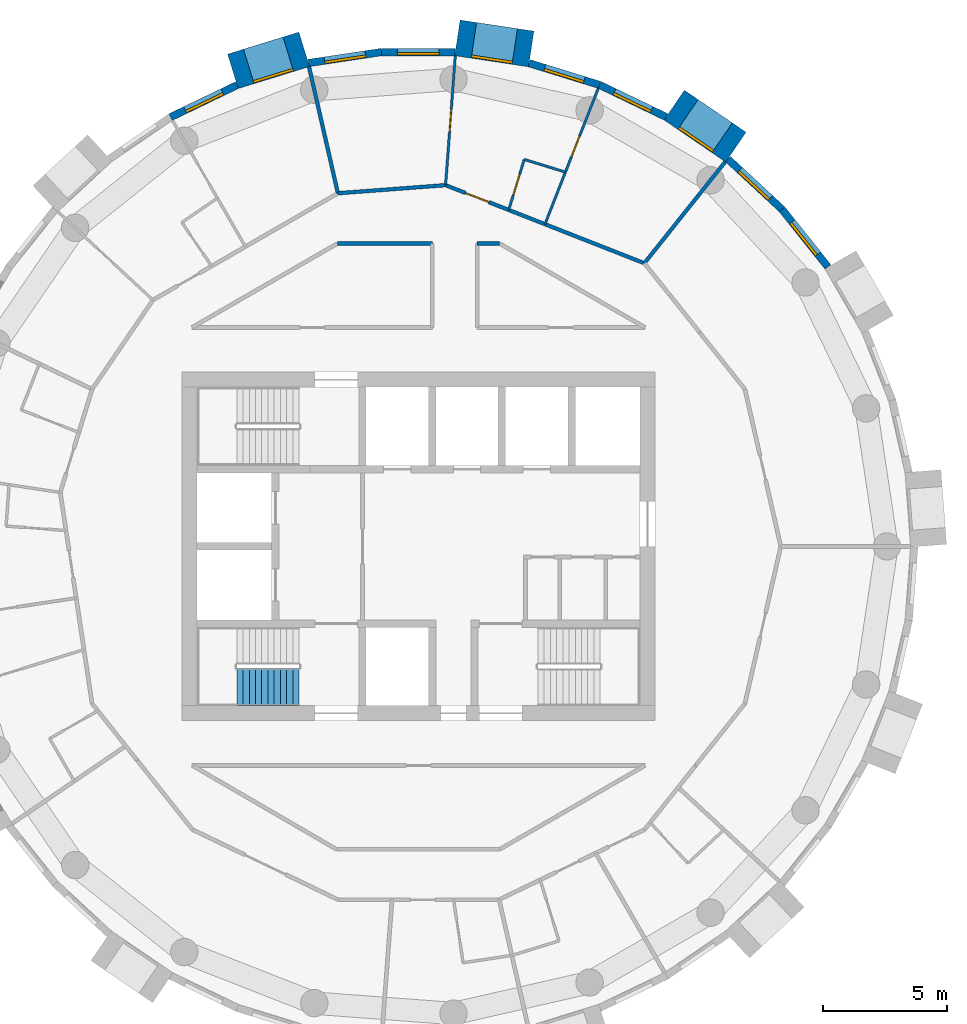
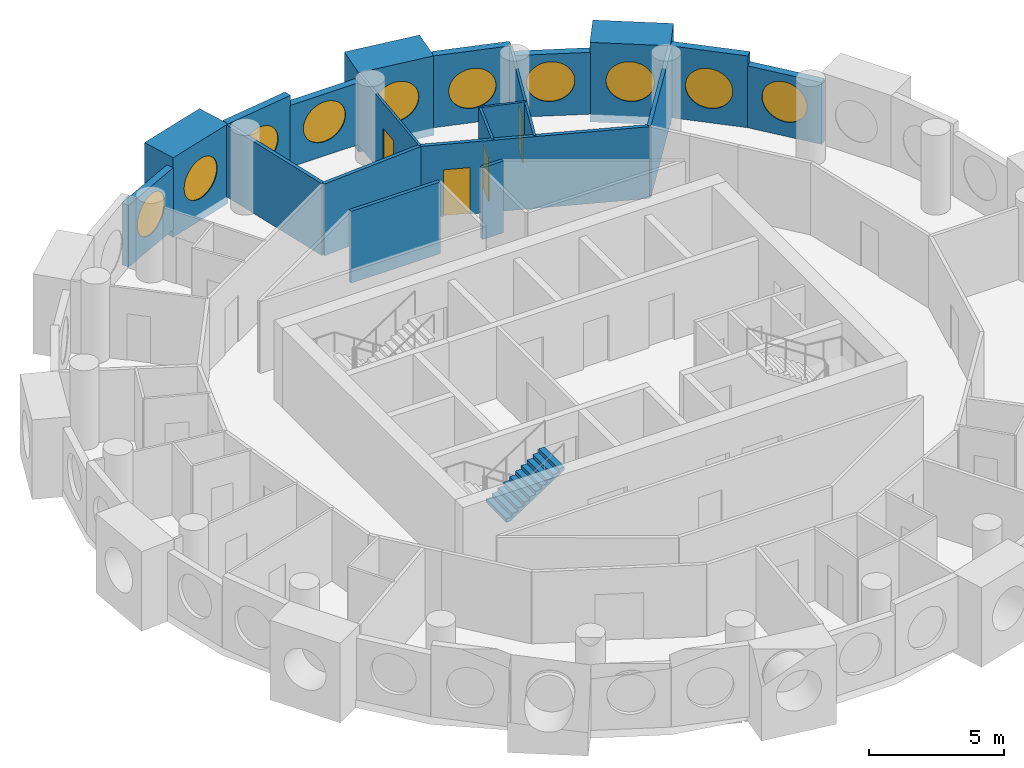
# One storey, part 9 of 11: 21 walls, 10 windows, 4 doors, 1 stair flight, 14 openings, 1 element without a shape of its own.
"""IFC4 building model written with IfcOpenShell, lengths in metres."""

from ifc_helpers import new_model, si_unit, direction, frame, frame_2d, origin, origin_2d, place, context, subcontext, project, spatial, polyline, rectangle, circle, outline, extrude, material, layer, layer_set, type_object, element, fill, aggregate, save


model = new_model("IFC4")

# Units and contexts
model_context = context("Model", 3, precision=1e-05, world=origin(), true_north=direction((0.0, 1.0)))
body_context = subcontext(model_context, "Body", "Model", "MODEL_VIEW")
ifc_project = project(units=[si_unit("LENGTHUNIT", "METRE"), si_unit("AREAUNIT", "SQUARE_METRE"), si_unit("VOLUMEUNIT", "CUBIC_METRE"), si_unit("PLANEANGLEUNIT", "RADIAN"), si_unit("MASSUNIT", "GRAM", prefix="KILO")], contexts=[model_context])

# Site, building, storey
site_placement = place(None, origin())
site = spatial("IfcSite", under=ifc_project, at=site_placement, CompositionType="ELEMENT")
building_placement = place(site_placement, origin())
building = spatial("IfcBuilding", under=site, at=building_placement, Name="Tracery Tower", CompositionType="ELEMENT")
storey_placement = place(building_placement, frame((0.0, 0.0, 267.0)))
storey = spatial("IfcBuildingStorey", under=building, at=storey_placement, Name="L69", CompositionType="ELEMENT", Elevation=267.0)

# Wall, opening, window
ifc_material_1 = material(Name="Precast concrete C50/60", Category="concrete")
ifc_layer_1 = layer(ifc_material_1, 1.449951171875)
ifc_layer_set_1 = layer_set([ifc_layer_1], Name="Deep-set bay unit 3000 x 3600, slab edge 350")
wall_type_1 = type_object("IfcWallType", Name="Deep-set bay unit 3000 x 3600, slab edge 350", PredefinedType="ELEMENTEDWALL", material=ifc_layer_set_1)
wall_1_placement = place(storey_placement, frame((12.754150390625, 16.044189453125, -0.35009765625), z_axis=(0.0, 0.0, 1.0), x_axis=(-0.826246281157, 0.563309047392, 0.0)))
wall_1 = element("IfcWall", 1, at=wall_1_placement, inside=storey, type_object=wall_type_1, Name="Deep-set bay unit 7 at L69", PredefinedType="ELEMENTEDWALL", context=body_context, shape_type="SweptSolid", body=[
    extrude(rectangle(XDim=3.0, YDim=1.449951171875, at=frame_2d((1.5, 0.0))), origin(), (0.0, 0.0, 1.0), 3.60009765625),
])
opening_1_placement = place(wall_1_placement, frame((1.5, 0.0, 1.89990234375)))
opening_1 = element("IfcOpeningElement", 2, at=opening_1_placement, cuts=wall_1, Name="Opening WN1", PredefinedType="OPENING", context=body_context, shape_type="SweptSolid", body=[
    extrude(circle(Radius=0.9000244140625, at=origin_2d()), frame((0.0, 0.73486328125, 0.0), z_axis=(0.0, -1.0, 0.0), x_axis=(1.0, 0.0, 0.0)), (0.0, 0.0, 1.0), 1.469970703125),
])
ifc_material_2 = material(Name="Aluminium frame with tinted double glazing", Category="aluminium")
window_type = type_object("IfcWindowType", Name="Round window 1800", PartitioningType="SINGLE_PANEL", PredefinedType="WINDOW", material=ifc_material_2)
window_1_placement = place(opening_1_placement, origin())
window_1 = element("IfcWindow", 3, at=window_1_placement, inside=storey, type_object=window_type, Name="Round window 7 at L69", OverallHeight=1.800048828125, OverallWidth=1.800048828125, PartitioningType="SINGLE_PANEL", PredefinedType="WINDOW", context=body_context, shape_type="SweptSolid", body=[
    extrude(circle(Radius=0.9000244140625, at=origin_2d()), frame((0.0, 0.69482421875, 0.0), z_axis=(0.0, -1.0, 0.0), x_axis=(1.0, 0.0, 0.0)), (0.0, 0.0, 1.0), 0.10009765625),
])
fill(opening_1, window_1)

wall_2_placement = place(storey_placement, frame((4.52978515625, 19.9892578125, -0.35009765625), z_axis=(0.0, 0.0, 1.0), x_axis=(-0.988836445254, 0.149004981587, 0.0)))
wall_2 = element("IfcWall", 4, at=wall_2_placement, inside=storey, type_object=wall_type_1, Name="Deep-set bay unit 10 at L69", PredefinedType="ELEMENTEDWALL", context=body_context, shape_type="SweptSolid", body=[
    extrude(rectangle(XDim=3.0, YDim=1.449951171875, at=frame_2d((1.5, 0.0))), origin(), (0.0, 0.0, 1.0), 3.60009765625),
])
opening_2_placement = place(wall_2_placement, frame((1.5, 0.0, 1.89990234375)))
opening_2 = element("IfcOpeningElement", 5, at=opening_2_placement, cuts=wall_2, Name="Opening WN1", PredefinedType="OPENING", context=body_context, shape_type="SweptSolid", body=[
    extrude(circle(Radius=0.9000244140625, at=origin_2d()), frame((0.0, 0.73486328125, 0.0), z_axis=(0.0, -1.0, 0.0), x_axis=(1.0, 0.0, 0.0)), (0.0, 0.0, 1.0), 1.469970703125),
])
window_2_placement = place(opening_2_placement, origin())
window_2 = element("IfcWindow", 6, at=window_2_placement, inside=storey, type_object=window_type, Name="Round window 10 at L69", OverallHeight=1.800048828125, OverallWidth=1.800048828125, PartitioningType="SINGLE_PANEL", PredefinedType="WINDOW", context=body_context, shape_type="SweptSolid", body=[
    extrude(circle(Radius=0.9000244140625, at=origin_2d()), frame((0.0, 0.69482421875, 0.0), z_axis=(0.0, -1.0, 0.0), x_axis=(1.0, 0.0, 0.0)), (0.0, 0.0, 1.0), 0.10009765625),
])
fill(opening_2, window_2)

wall_3_placement = place(storey_placement, frame((-4.591796875, 19.97509765625, -0.35009765625), z_axis=(0.0, 0.0, 1.0), x_axis=(-0.955571139978, -0.294760574774, 0.0)))
wall_3 = element("IfcWall", 7, at=wall_3_placement, inside=storey, type_object=wall_type_1, Name="Deep-set bay unit 13 at L69", PredefinedType="ELEMENTEDWALL", context=body_context, shape_type="SweptSolid", body=[
    extrude(rectangle(XDim=3.0, YDim=1.449951171875, at=frame_2d((1.5, 0.0))), origin(), (0.0, 0.0, 1.0), 3.60009765625),
])
opening_3_placement = place(wall_3_placement, frame((1.5, 0.0, 1.89990234375)))
opening_3 = element("IfcOpeningElement", 8, at=opening_3_placement, cuts=wall_3, Name="Opening WN1", PredefinedType="OPENING", context=body_context, shape_type="SweptSolid", body=[
    extrude(circle(Radius=0.9000244140625, at=origin_2d()), frame((0.0, 0.73486328125, 0.0), z_axis=(0.0, -1.0, 0.0), x_axis=(1.0, 0.0, 0.0)), (0.0, 0.0, 1.0), 1.469970703125),
])
window_3_placement = place(opening_3_placement, origin())
window_3 = element("IfcWindow", 9, at=window_3_placement, inside=storey, type_object=window_type, Name="Round window 13 at L69", OverallHeight=1.800048828125, OverallWidth=1.800048828125, PartitioningType="SINGLE_PANEL", PredefinedType="WINDOW", context=body_context, shape_type="SweptSolid", body=[
    extrude(circle(Radius=0.9000244140625, at=origin_2d()), frame((0.0, 0.69482421875, 0.0), z_axis=(0.0, -1.0, 0.0), x_axis=(1.0, 0.0, 0.0)), (0.0, 0.0, 1.0), 0.10009765625),
])
fill(opening_3, window_3)

ifc_material_3 = material(Name="Precast concrete C50/60", Category="concrete")
ifc_layer_2 = layer(ifc_material_3, 0.300048828125)
ifc_layer_set_2 = layer_set([ifc_layer_2], Name="Facade panel 3000 x 2800")
wall_type_2 = type_object("IfcWallType", Name="Facade panel 3000 x 2800", PredefinedType="SOLIDWALL", material=ifc_layer_set_2)
wall_4_placement = place(storey_placement, frame((16.45068359375, 11.234375, 0.0), z_axis=(0.0, 0.0, 1.0), x_axis=(-0.623498236992, 0.781824755599, 0.0)))
wall_4 = element("IfcWall", 10, at=wall_4_placement, inside=storey, type_object=wall_type_2, Name="Facade panel 5 at L69", PredefinedType="SOLIDWALL", context=body_context, shape_type="SweptSolid", body=[
    extrude(rectangle(XDim=2.962158203125, YDim=0.300048828125, at=frame_2d((1.48095703125, 0.0))), origin(), (0.0, 0.0, 1.0), 2.800048828125),
])
opening_4_placement = place(wall_4_placement, frame((1.48095703125, 0.0, 1.5498046875)))
opening_4 = element("IfcOpeningElement", 11, at=opening_4_placement, cuts=wall_4, Name="Opening WN1", PredefinedType="OPENING", context=body_context, shape_type="SweptSolid", body=[
    extrude(circle(Radius=0.9000244140625, at=origin_2d()), frame((0.0, 0.159912109375, 0.0), z_axis=(0.0, -1.0, 0.0), x_axis=(1.0, 0.0, 0.0)), (0.0, 0.0, 1.0), 0.320068359375),
])
window_4_placement = place(opening_4_placement, origin())
window_4 = element("IfcWindow", 12, at=window_4_placement, inside=storey, type_object=window_type, Name="Round window 5 at L69", OverallHeight=1.800048828125, OverallWidth=1.800048828125, PartitioningType="SINGLE_PANEL", PredefinedType="WINDOW", context=body_context, shape_type="SweptSolid", body=[
    extrude(circle(Radius=0.9000244140625, at=origin_2d()), frame((0.0, 0.1201171875, 0.0), z_axis=(0.0, -1.0, 0.0), x_axis=(1.0, 0.0, 0.0)), (0.0, 0.0, 1.0), 0.10009765625),
])
fill(opening_4, window_4)

wall_5_placement = place(storey_placement, frame((9.947021484375, 17.25927734375, 0.0), z_axis=(0.0, 0.0, 1.0), x_axis=(-0.900939615635, 0.433944476838, 0.0)))
wall_5 = element("IfcWall", 13, at=wall_5_placement, inside=storey, type_object=wall_type_2, Name="Facade panel 8 at L69", PredefinedType="SOLIDWALL", context=body_context, shape_type="SweptSolid", body=[
    extrude(rectangle(XDim=2.962158203125, YDim=0.300048828125, at=frame_2d((1.48095703125, 0.0))), origin(), (0.0, 0.0, 1.0), 2.800048828125),
])
opening_5_placement = place(wall_5_placement, frame((1.48095703125, 0.0, 1.5498046875)))
opening_5 = element("IfcOpeningElement", 14, at=opening_5_placement, cuts=wall_5, Name="Opening WN1", PredefinedType="OPENING", context=body_context, shape_type="SweptSolid", body=[
    extrude(circle(Radius=0.9000244140625, at=origin_2d()), frame((0.0, 0.159912109375, 0.0), z_axis=(0.0, -1.0, 0.0), x_axis=(1.0, 0.0, 0.0)), (0.0, 0.0, 1.0), 0.320068359375),
])
window_5_placement = place(opening_5_placement, origin())
window_5 = element("IfcWindow", 15, at=window_5_placement, inside=storey, type_object=window_type, Name="Round window 8 at L69", OverallHeight=1.800048828125, OverallWidth=1.800048828125, PartitioningType="SINGLE_PANEL", PredefinedType="WINDOW", context=body_context, shape_type="SweptSolid", body=[
    extrude(circle(Radius=0.9000244140625, at=origin_2d()), frame((0.0, 0.1201171875, 0.0), z_axis=(0.0, -1.0, 0.0), x_axis=(1.0, 0.0, 0.0)), (0.0, 0.0, 1.0), 0.10009765625),
])
fill(opening_5, window_5)

wall_6_placement = place(storey_placement, frame((1.473388671875, 19.865966796875, 0.0), z_axis=(0.0, 0.0, 1.0), x_axis=(-1.0, 0.0, 0.0)))
wall_6 = element("IfcWall", 16, at=wall_6_placement, inside=storey, type_object=wall_type_2, Name="Facade panel 11 at L69", PredefinedType="SOLIDWALL", context=body_context, shape_type="SweptSolid", body=[
    extrude(rectangle(XDim=2.962158203125, YDim=0.300048828125, at=frame_2d((1.48095703125, 0.0))), origin(), (0.0, 0.0, 1.0), 2.800048828125),
])
opening_6_placement = place(wall_6_placement, frame((1.48095703125, 0.0, 1.5498046875)))
opening_6 = element("IfcOpeningElement", 17, at=opening_6_placement, cuts=wall_6, Name="Opening WN1", PredefinedType="OPENING", context=body_context, shape_type="SweptSolid", body=[
    extrude(circle(Radius=0.9000244140625, at=origin_2d()), frame((0.0, 0.159912109375, 0.0), z_axis=(0.0, -1.0, 0.0), x_axis=(1.0, 0.0, 0.0)), (0.0, 0.0, 1.0), 0.320068359375),
])
window_6_placement = place(opening_6_placement, origin())
window_6 = element("IfcWindow", 18, at=window_6_placement, inside=storey, type_object=window_type, Name="Round window 11 at L69", OverallHeight=1.800048828125, OverallWidth=1.800048828125, PartitioningType="SINGLE_PANEL", PredefinedType="WINDOW", context=body_context, shape_type="SweptSolid", body=[
    extrude(circle(Radius=0.9000244140625, at=origin_2d()), frame((0.0, 0.1201171875, 0.0), z_axis=(0.0, -1.0, 0.0), x_axis=(1.0, 0.0, 0.0)), (0.0, 0.0, 1.0), 0.10009765625),
])
fill(opening_6, window_6)

wall_7_placement = place(storey_placement, frame((-7.2919921875, 18.5380859375, 0.0), z_axis=(0.0, 0.0, 1.0), x_axis=(-0.90095513435, -0.433912255978, 0.0)))
wall_7 = element("IfcWall", 19, at=wall_7_placement, inside=storey, type_object=wall_type_2, Name="Facade panel 14 at L69", PredefinedType="SOLIDWALL", context=body_context, shape_type="SweptSolid", body=[
    extrude(rectangle(XDim=2.96240234375, YDim=0.300048828125, at=frame_2d((1.481201171875, 0.0))), origin(), (0.0, 0.0, 1.0), 2.800048828125),
])
opening_7_placement = place(wall_7_placement, frame((1.48095703125, 0.0, 1.5498046875)))
opening_7 = element("IfcOpeningElement", 20, at=opening_7_placement, cuts=wall_7, Name="Opening WN1", PredefinedType="OPENING", context=body_context, shape_type="SweptSolid", body=[
    extrude(circle(Radius=0.9000244140625, at=origin_2d()), frame((0.0, 0.159912109375, 0.0), z_axis=(0.0, -1.0, 0.0), x_axis=(1.0, 0.0, 0.0)), (0.0, 0.0, 1.0), 0.320068359375),
])
window_7_placement = place(opening_7_placement, origin())
window_7 = element("IfcWindow", 21, at=window_7_placement, inside=storey, type_object=window_type, Name="Round window 14 at L69", OverallHeight=1.800048828125, OverallWidth=1.800048828125, PartitioningType="SINGLE_PANEL", PredefinedType="WINDOW", context=body_context, shape_type="SweptSolid", body=[
    extrude(circle(Radius=0.9000244140625, at=origin_2d()), frame((0.0, 0.1201171875, 0.0), z_axis=(0.0, -1.0, 0.0), x_axis=(1.0, 0.0, 0.0)), (0.0, 0.0, 1.0), 0.10009765625),
])
fill(opening_7, window_7)

ifc_material_4 = material(Name="Precast concrete C50/60", Category="concrete")
ifc_layer_3 = layer(ifc_material_4, 0.300048828125)
ifc_layer_set_3 = layer_set([ifc_layer_3], Name="Facade panel 3000 x 3250")
wall_type_3 = type_object("IfcWallType", Name="Facade panel 3000 x 3250", PredefinedType="SOLIDWALL", material=ifc_layer_set_3)
wall_8_placement = place(storey_placement, frame((14.603759765625, 13.55029296875, 0.0), z_axis=(0.0, 0.0, 1.0), x_axis=(-0.733066412643, 0.680157066165, 0.0)))
wall_8 = element("IfcWall", 22, at=wall_8_placement, inside=storey, type_object=wall_type_3, Name="Facade panel 6 at L69", PredefinedType="SOLIDWALL", context=body_context, shape_type="SweptSolid", body=[
    extrude(rectangle(XDim=2.96240234375, YDim=0.300048828125, at=frame_2d((1.481201171875, 0.0))), origin(), (0.0, 0.0, 1.0), 3.25),
])
opening_8_placement = place(wall_8_placement, frame((1.48095703125, 0.0, 1.5498046875)))
opening_8 = element("IfcOpeningElement", 23, at=opening_8_placement, cuts=wall_8, Name="Opening WN1", PredefinedType="OPENING", context=body_context, shape_type="SweptSolid", body=[
    extrude(circle(Radius=0.9000244140625, at=origin_2d()), frame((0.0, 0.159912109375, 0.0), z_axis=(0.0, -1.0, 0.0), x_axis=(1.0, 0.0, 0.0)), (0.0, 0.0, 1.0), 0.320068359375),
])
window_8_placement = place(opening_8_placement, origin())
window_8 = element("IfcWindow", 24, at=window_8_placement, inside=storey, type_object=window_type, Name="Round window 6 at L69", OverallHeight=1.800048828125, OverallWidth=1.800048828125, PartitioningType="SINGLE_PANEL", PredefinedType="WINDOW", context=body_context, shape_type="SweptSolid", body=[
    extrude(circle(Radius=0.9000244140625, at=origin_2d()), frame((0.0, 0.1201171875, 0.0), z_axis=(0.0, -1.0, 0.0), x_axis=(1.0, 0.0, 0.0)), (0.0, 0.0, 1.0), 0.10009765625),
])
fill(opening_8, window_8)

wall_9_placement = place(storey_placement, frame((7.2783203125, 18.544677734375, 0.0), z_axis=(0.0, 0.0, 1.0), x_axis=(-0.95558635705, 0.294711238707, 0.0)))
wall_9 = element("IfcWall", 25, at=wall_9_placement, inside=storey, type_object=wall_type_3, Name="Facade panel 9 at L69", PredefinedType="SOLIDWALL", context=body_context, shape_type="SweptSolid", body=[
    extrude(rectangle(XDim=2.96240234375, YDim=0.300048828125, at=frame_2d((1.481201171875, 0.0))), origin(), (0.0, 0.0, 1.0), 3.25),
])
opening_9_placement = place(wall_9_placement, frame((1.48095703125, 0.0, 1.5498046875)))
opening_9 = element("IfcOpeningElement", 26, at=opening_9_placement, cuts=wall_9, Name="Opening WN1", PredefinedType="OPENING", context=body_context, shape_type="SweptSolid", body=[
    extrude(circle(Radius=0.9000244140625, at=origin_2d()), frame((0.0, 0.159912109375, 0.0), z_axis=(0.0, -1.0, 0.0), x_axis=(1.0, 0.0, 0.0)), (0.0, 0.0, 1.0), 0.320068359375),
])
window_9_placement = place(opening_9_placement, origin())
window_9 = element("IfcWindow", 27, at=window_9_placement, inside=storey, type_object=window_type, Name="Round window 9 at L69", OverallHeight=1.800048828125, OverallWidth=1.800048828125, PartitioningType="SINGLE_PANEL", PredefinedType="WINDOW", context=body_context, shape_type="SweptSolid", body=[
    extrude(circle(Radius=0.9000244140625, at=origin_2d()), frame((0.0, 0.1201171875, 0.0), z_axis=(0.0, -1.0, 0.0), x_axis=(1.0, 0.0, 0.0)), (0.0, 0.0, 1.0), 0.10009765625),
])
fill(opening_9, window_9)

wall_10_placement = place(storey_placement, frame((-1.48876953125, 19.865966796875, 0.0), z_axis=(0.0, 0.0, 1.0), x_axis=(-0.988835775663, -0.149009425104, 0.0)))
wall_10 = element("IfcWall", 28, at=wall_10_placement, inside=storey, type_object=wall_type_3, Name="Facade panel 12 at L69", PredefinedType="SOLIDWALL", context=body_context, shape_type="SweptSolid", body=[
    extrude(rectangle(XDim=2.962158203125, YDim=0.300048828125, at=frame_2d((1.48095703125, 0.0))), origin(), (0.0, 0.0, 1.0), 3.25),
])
opening_10_placement = place(wall_10_placement, frame((1.48095703125, 0.0, 1.5498046875)))
opening_10 = element("IfcOpeningElement", 29, at=opening_10_placement, cuts=wall_10, Name="Opening WN1", PredefinedType="OPENING", context=body_context, shape_type="SweptSolid", body=[
    extrude(circle(Radius=0.9000244140625, at=origin_2d()), frame((0.0, 0.159912109375, 0.0), z_axis=(0.0, -1.0, 0.0), x_axis=(1.0, 0.0, 0.0)), (0.0, 0.0, 1.0), 0.320068359375),
])
window_10_placement = place(opening_10_placement, origin())
window_10 = element("IfcWindow", 30, at=window_10_placement, inside=storey, type_object=window_type, Name="Round window 12 at L69", OverallHeight=1.800048828125, OverallWidth=1.800048828125, PartitioningType="SINGLE_PANEL", PredefinedType="WINDOW", context=body_context, shape_type="SweptSolid", body=[
    extrude(circle(Radius=0.9000244140625, at=origin_2d()), frame((0.0, 0.1201171875, 0.0), z_axis=(0.0, -1.0, 0.0), x_axis=(1.0, 0.0, 0.0)), (0.0, 0.0, 1.0), 0.10009765625),
])
fill(opening_10, window_10)

# Wall, opening, door
ifc_material_5 = material(Name="Plasterboard on steel studs", Category="steel")
ifc_layer_4 = layer(ifc_material_5, 0.10009765625)
ifc_layer_set_4 = layer_set([ifc_layer_4], Name="Partition 100 stud")
wall_type_4 = type_object("IfcWallType", Name="Partition 100 stud", PredefinedType="PARTITIONING", material=ifc_layer_set_4)
wall_11_placement = place(storey_placement, frame((5.903076171875, 15.041015625, 0.0), z_axis=(0.0, 0.0, 1.0), x_axis=(0.36523219083, 0.930916455318, 0.0)))
wall_11 = element("IfcWall", 31, at=wall_11_placement, inside=storey, type_object=wall_type_4, Name="Stud partition RC4-041", PredefinedType="PARTITIONING", context=body_context, shape_type="SweptSolid", body=[
    extrude(rectangle(XDim=3.61376953125, YDim=0.10009765625, at=frame_2d((1.806884765625, 0.0))), origin(), (0.0, 0.0, 1.0), 3.25),
])
opening_11_placement = place(wall_11_placement, frame((0.65673828125, 0.0, 0.0)))
opening_11 = element("IfcOpeningElement", 32, at=opening_11_placement, cuts=wall_11, Name="Opening RC4-05", PredefinedType="OPENING", context=body_context, shape_type="SweptSolid", body=[
    extrude(rectangle(XDim=0.89990234375, YDim=2.10009765625, at=frame_2d((0.449951171875, 1.050048828125))), frame((0.0, 0.050048828125, 0.0), z_axis=(0.0, -1.0, 0.0), x_axis=(1.0, 0.0, 0.0)), (0.0, 0.0, 1.0), 0.10009765625),
])
ifc_material_6 = material(Name="Timber door leaf", Category="wood")
door_type_1 = type_object("IfcDoorType", Name="Door bedroom 900", OperationType="NOTDEFINED", PredefinedType="DOOR", material=ifc_material_6)
door_1_placement = place(opening_11_placement, origin())
door_1 = element("IfcDoor", 33, at=door_1_placement, inside=storey, type_object=door_type_1, Name="Bedroom door RC4-05", OperationType="SINGLE_SWING_RIGHT", OverallHeight=2.10009765625, OverallWidth=0.89990234375, PredefinedType="DOOR", context=body_context, shape_type="SweptSolid", body=[
    extrude(rectangle(XDim=0.89990234375, YDim=2.10009765625, at=frame_2d((0.449951171875, 1.050048828125))), frame((0.0, 0.02490234375, 0.0), z_axis=(0.0, -1.0, 0.0), x_axis=(1.0, 0.0, 0.0)), (0.0, 0.0, 1.0), 0.050048828125),
])
fill(opening_11, door_1)

wall_12_placement = place(storey_placement, frame((1.087890625, 14.51611328125, 0.0), z_axis=(0.0, 0.0, 1.0), x_axis=(0.074816718541, 0.997197301755, 0.0)))
wall_12 = element("IfcWall", 34, at=wall_12_placement, inside=storey, type_object=wall_type_4, Name="Stud partition RC4-042", PredefinedType="PARTITIONING", context=body_context, shape_type="SweptSolid", body=[
    extrude(rectangle(XDim=5.214599609375, YDim=0.10009765625, at=frame_2d((2.607421875, 0.0))), origin(), (0.0, 0.0, 1.0), 3.25),
])
opening_12_placement = place(wall_12_placement, frame((2.156982421875, 0.0, 0.0)))
opening_12 = element("IfcOpeningElement", 35, at=opening_12_placement, cuts=wall_12, Name="Opening RC4-06", PredefinedType="OPENING", context=body_context, shape_type="SweptSolid", body=[
    extrude(rectangle(XDim=0.89990234375, YDim=2.10009765625, at=frame_2d((0.449951171875, 1.050048828125))), frame((0.0, 0.050048828125, 0.0), z_axis=(0.0, -1.0, 0.0), x_axis=(1.0, 0.0, 0.0)), (0.0, 0.0, 1.0), 0.10009765625),
])
door_2_placement = place(opening_12_placement, origin())
door_2 = element("IfcDoor", 36, at=door_2_placement, inside=storey, type_object=door_type_1, Name="Bedroom door RC4-06", OperationType="SINGLE_SWING_LEFT", OverallHeight=2.10009765625, OverallWidth=0.89990234375, PredefinedType="DOOR", context=body_context, shape_type="SweptSolid", body=[
    extrude(rectangle(XDim=0.89990234375, YDim=2.10009765625, at=frame_2d((0.449951171875, 1.050048828125))), frame((0.0, 0.02490234375, 0.0), z_axis=(0.0, -1.0, 0.0), x_axis=(1.0, 0.0, 0.0)), (0.0, 0.0, 1.0), 0.050048828125),
])
fill(opening_12, door_2)

# Wall
ifc_material_7 = material(Name="Plasterboard on steel studs", Category="steel")
ifc_layer_5 = layer(ifc_material_7, 0.10009765625)
ifc_layer_set_5 = layer_set([ifc_layer_5], Name="Partition 100 wet wall")
wall_type_5 = type_object("IfcWallType", Name="Partition 100 wet wall", PredefinedType="PARTITIONING", material=ifc_layer_set_5)
wall_13_placement = place(storey_placement, frame((4.25, 15.551025390625, 0.0), z_axis=(0.0, 0.0, 1.0), x_axis=(0.955555986234, -0.294809696536, 0.0)))
element("IfcWall", 37, at=wall_13_placement, inside=storey, type_object=wall_type_5, Name="Wet wall RC4-043", PredefinedType="PARTITIONING", context=body_context, shape_type="SweptSolid", body=[
    extrude(rectangle(XDim=1.72998046875, YDim=0.10009765625, at=frame_2d((0.864990234375, 0.0))), origin(), (0.0, 0.0, 1.0), 3.25),
])

# Wall, opening, door
wall_14_placement = place(storey_placement, frame((3.6240234375, 13.52099609375, 0.0), z_axis=(0.0, 0.0, 1.0), x_axis=(0.294667251911, 0.955599921856, 0.0)))
wall_14 = element("IfcWall", 38, at=wall_14_placement, inside=storey, type_object=wall_type_5, Name="Wet wall RC4-044", PredefinedType="PARTITIONING", context=body_context, shape_type="SweptSolid", body=[
    extrude(rectangle(XDim=2.124267578125, YDim=0.10009765625, at=frame_2d((1.06201171875, 0.0))), origin(), (0.0, 0.0, 1.0), 3.25),
])
opening_13_placement = place(wall_14_placement, frame((0.6123046875, 0.0, 0.0)))
opening_13 = element("IfcOpeningElement", 39, at=opening_13_placement, cuts=wall_14, Name="Opening RC4-07", PredefinedType="OPENING", context=body_context, shape_type="SweptSolid", body=[
    extrude(rectangle(XDim=0.89990234375, YDim=2.0, at=frame_2d((0.449951171875, 1.0))), frame((0.0, 0.050048828125, 0.0), z_axis=(0.0, -1.0, 0.0), x_axis=(1.0, 0.0, 0.0)), (0.0, 0.0, 1.0), 0.10009765625),
])
ifc_material_8 = material(Name="Timber door leaf", Category="wood")
door_type_2 = type_object("IfcDoorType", Name="Door shower room 900", OperationType="NOTDEFINED", PredefinedType="DOOR", material=ifc_material_8)
door_3_placement = place(opening_13_placement, origin())
door_3 = element("IfcDoor", 40, at=door_3_placement, inside=storey, type_object=door_type_2, Name="Shower room door RC4-07", OperationType="SINGLE_SWING_LEFT", OverallHeight=2.0, OverallWidth=0.89990234375, PredefinedType="DOOR", context=body_context, shape_type="SweptSolid", body=[
    extrude(rectangle(XDim=0.89990234375, YDim=2.0, at=frame_2d((0.449951171875, 1.0))), frame((0.0, 0.02490234375, 0.0), z_axis=(0.0, -1.0, 0.0), x_axis=(1.0, 0.0, 0.0)), (0.0, 0.0, 1.0), 0.050048828125),
])
fill(opening_13, door_3)

# Walls
wall_15_placement = place(storey_placement, frame((5.08203125, 12.948974609375, 0.0), z_axis=(0.0, 0.0, 1.0), x_axis=(0.365118857447, 0.930960912142, 0.0)))
element("IfcWall", 41, at=wall_15_placement, inside=storey, type_object=wall_type_5, Name="Wet wall RC4-045", PredefinedType="PARTITIONING", context=body_context, shape_type="SweptSolid", body=[
    extrude(rectangle(XDim=2.25146484375, YDim=0.10009765625, at=frame_2d((1.125732421875, 0.0))), origin(), (0.0, 0.0, 1.0), 3.25),
])
ifc_material_9 = material(Name="Plasterboard on steel studs", Category="steel")
ifc_layer_6 = layer(ifc_material_9, 0.14990234375)
ifc_layer_set_6 = layer_set([ifc_layer_6], Name="Partition 150 acoustic unit wall")
wall_type_6 = type_object("IfcWallType", Name="Partition 150 acoustic unit wall", PredefinedType="PARTITIONING", material=ifc_layer_set_6)
wall_16_placement = place(storey_placement, frame((9.075927734375, 11.381103515625, 0.0), z_axis=(0.0, 0.0, 1.0), x_axis=(0.623460949534, 0.781854490558, 0.0)))
element("IfcWall", 42, at=wall_16_placement, inside=storey, type_object=wall_type_6, Name="Unit wall RC4-039", PredefinedType="PARTITIONING", context=body_context, shape_type="SweptSolid", body=[
    extrude(rectangle(XDim=5.21435546875, YDim=0.14990234375, at=frame_2d((2.607177734375, 0.0))), origin(), (0.0, 0.0, 1.0), 3.25),
])
wall_17_placement = place(storey_placement, frame((-4.39990234375, 19.27587890625, 0.0), z_axis=(0.0, 0.0, 1.0), x_axis=(0.222612505682, -0.974907007008, 0.0)))
element("IfcWall", 43, at=wall_17_placement, inside=storey, type_object=wall_type_6, Name="Unit wall RC4-046", PredefinedType="PARTITIONING", context=body_context, shape_type="SweptSolid", body=[
    extrude(rectangle(XDim=5.21484375, YDim=0.14990234375, at=frame_2d((2.607421875, 0.0))), origin(), (0.0, 0.0, 1.0), 3.25),
])
ifc_material_10 = material(Name="Plasterboard on steel studs", Category="steel")
ifc_layer_7 = layer(ifc_material_10, 0.14990234375)
ifc_layer_set_7 = layer_set([ifc_layer_7], Name="Partition 150 corridor wall")
wall_type_7 = type_object("IfcWallType", Name="Partition 150 corridor wall", PredefinedType="PARTITIONING", material=ifc_layer_set_7)
wall_18_placement = place(storey_placement, frame((-3.260986328125, 12.1708984375, 0.0), z_axis=(0.0, 0.0, 1.0), x_axis=(1.0, 0.0, 0.0)))
element("IfcWall", 44, at=wall_18_placement, inside=storey, type_object=wall_type_7, Name="Corridor wall RC4-021", PredefinedType="PARTITIONING", context=body_context, shape_type="SweptSolid", body=[
    extrude(rectangle(XDim=3.81689453125, YDim=0.14990234375, at=frame_2d((1.908447265625, 0.0))), origin(), (0.0, 0.0, 1.0), 3.25),
])
wall_19_placement = place(storey_placement, frame((2.35595703125, 12.1708984375, 0.0), z_axis=(0.0, 0.0, 1.0), x_axis=(1.0, 0.0, 0.0)))
element("IfcWall", 45, at=wall_19_placement, inside=storey, type_object=wall_type_7, Name="Corridor wall RC4-024", PredefinedType="PARTITIONING", context=body_context, shape_type="SweptSolid", body=[
    extrude(rectangle(XDim=0.905029296875, YDim=0.14990234375, at=frame_2d((0.45263671875, 0.0))), origin(), (0.0, 0.0, 1.0), 3.25),
])

# Wall, opening, door
wall_20_placement = place(storey_placement, frame((1.087890625, 14.51611328125, 0.0), z_axis=(0.0, 0.0, 1.0), x_axis=(0.930800934608, -0.365526497168, 0.0)))
wall_20 = element("IfcWall", 46, at=wall_20_placement, inside=storey, type_object=wall_type_7, Name="Corridor wall RC4-027", PredefinedType="PARTITIONING", context=body_context, shape_type="SweptSolid", body=[
    extrude(rectangle(XDim=8.581298828125, YDim=0.14990234375, at=frame_2d((4.29052734375, 0.0))), origin(), (0.0, 0.0, 1.0), 3.25),
])
opening_14_placement = place(wall_20_placement, frame((0.864013671875, 0.0, 0.0)))
opening_14 = element("IfcOpeningElement", 47, at=opening_14_placement, cuts=wall_20, Name="Opening RC4-08", PredefinedType="OPENING", context=body_context, shape_type="SweptSolid", body=[
    extrude(rectangle(XDim=1.0, YDim=2.10009765625, at=frame_2d((0.5, 1.050048828125))), frame((0.0, 0.074951171875, 0.0), z_axis=(0.0, -1.0, 0.0), x_axis=(1.0, 0.0, 0.0)), (0.0, 0.0, 1.0), 0.14990234375),
])
ifc_material_11 = material(Name="Timber door leaf", Category="wood")
door_type_3 = type_object("IfcDoorType", Name="Door unit entrance 1000", OperationType="NOTDEFINED", PredefinedType="DOOR", material=ifc_material_11)
door_4_placement = place(opening_14_placement, origin())
door_4 = element("IfcDoor", 48, at=door_4_placement, inside=storey, type_object=door_type_3, Name="Unit entrance door RC4-08", OperationType="SINGLE_SWING_RIGHT", OverallHeight=2.10009765625, OverallWidth=1.0, PredefinedType="DOOR", context=body_context, shape_type="SweptSolid", body=[
    extrude(rectangle(XDim=1.0, YDim=2.10009765625, at=frame_2d((0.5, 1.050048828125))), frame((0.0, 0.02490234375, 0.0), z_axis=(0.0, -1.0, 0.0), x_axis=(1.0, 0.0, 0.0)), (0.0, 0.0, 1.0), 0.050048828125),
])
fill(opening_14, door_4)

# Wall
wall_21_placement = place(storey_placement, frame((-3.239013671875, 14.19189453125, 0.0), z_axis=(0.0, 0.0, 1.0), x_axis=(0.997204448067, 0.074721407608, 0.0)))
element("IfcWall", 49, at=wall_21_placement, inside=storey, type_object=wall_type_7, Name="Corridor wall RC4-028", PredefinedType="PARTITIONING", context=body_context, shape_type="SweptSolid", body=[
    extrude(rectangle(XDim=4.339111328125, YDim=0.14990234375, at=frame_2d((2.16943359375, 0.0))), origin(), (0.0, 0.0, 1.0), 3.25),
])

# Stair, stair flight
ifc_material_12 = material(Name="Concrete C32/40", Category="concrete")
stair_type = type_object("IfcStairType", Name="Core stair 22 risers", PredefinedType="HALF_TURN_STAIR", material=ifc_material_12)
stair_placement = place(storey_placement, origin())
stair = element("IfcStair", 50, at=stair_placement, inside=storey, type_object=stair_type, Name="L69 stair ST1", PredefinedType="HALF_TURN_STAIR")
ifc_material_13 = material(Name="Concrete C32/40", Category="concrete")
stair_flight_type = type_object("IfcStairFlightType", Name="Core stair flight 11 risers", PredefinedType="STRAIGHT", material=ifc_material_13)
stair_flight_placement = place(storey_placement, frame((-7.300048828125, -5.64990234375, 1.800048828125), z_axis=(0.0, 0.0, 1.0), x_axis=(1.0, 0.0, 0.0)))
stair_flight = element("IfcStairFlight", 51, at=stair_flight_placement, type_object=stair_flight_type, Name="ST1 flight 2", NumberOfRisers=11, NumberOfTreads=10, PredefinedType="STRAIGHT", RiserHeight=0.163636364, TreadLength=0.25, context=body_context, shape_type="SweptSolid", body=[
    extrude(outline(polyline([(0.0, 0.0), (0.0, 0.002685546875), (0.0, 0.00537109375), (0.0, 0.008056640625), (0.0, 0.0107421875), (0.0, 0.013427734375), (0.0, 0.01611328125), (0.0, 0.018798828125), (0.0, 0.021484375), (0.0, 0.024169921875), (0.0, 0.02685546875), (0.0, 0.029541015625), (0.0, 0.0322265625), (0.0, 0.034912109375), (0.0, 0.03759765625), (0.0, 0.040283203125), (0.0, 0.04296875), (0.0, 0.045654296875), (0.0, 0.04833984375), (0.0, 0.051025390625), (0.0, 0.0537109375), (0.0, 0.056396484375), (0.0, 0.05908203125), (0.0, 0.061767578125), (0.0, 0.064453125), (0.0, 0.067138671875), (0.0, 0.06982421875), (0.0, 0.072509765625), (0.0, 0.0751953125), (0.0, 0.077880859375), (0.0, 0.08056640625), (0.0, 0.083251953125), (0.0, 0.0859375), (0.0, 0.088623046875), (0.0, 0.09130859375), (0.0, 0.093994140625), (0.0, 0.0966796875), (0.0, 0.099365234375), (0.0, 0.10205078125), (0.0, 0.104736328125), (0.0, 0.107421875), (0.0, 0.10986328125), (0.0, 0.112548828125), (0.0, 0.115234375), (0.0, 0.117919921875), (0.0, 0.12060546875), (0.0, 0.123291015625), (0.0, 0.1259765625), (0.0, 0.128662109375), (0.0, 0.13134765625), (0.0, 0.134033203125), (0.0, 0.13671875), (0.0, 0.139404296875), (0.0, 0.14208984375), (0.0, 0.144775390625), (0.0, 0.1474609375), (0.0, 0.150146484375), (0.0, 0.15283203125), (0.0, 0.155517578125), (0.0, 0.158203125), (0.0, 0.160888671875), (0.0, 0.16357421875), (0.25, 0.16357421875), (0.25, 0.327392578125), (0.5, 0.327392578125), (0.5, 0.490966796875), (0.75, 0.490966796875), (0.75, 0.654541015625), (1.0, 0.654541015625), (1.0, 0.818115234375), (1.25, 0.818115234375), (1.25, 0.98193359375), (1.5, 0.98193359375), (1.5, 1.1455078125), (1.75, 1.1455078125), (1.75, 1.30908203125), (2.0, 1.30908203125), (2.0, 1.47265625), (2.25, 1.47265625), (2.25, 1.636474609375), (2.5, 1.636474609375), (2.5, 1.634521484375), (2.5, 1.63232421875), (2.5, 1.63037109375), (2.5, 1.62841796875), (2.5, 1.62646484375), (2.5, 1.62451171875), (2.5, 1.62255859375), (2.5, 1.62060546875), (2.5, 1.61865234375), (2.5, 1.61669921875), (2.5, 1.61474609375), (2.5, 1.61279296875), (2.5, 1.61083984375), (2.5, 1.60888671875), (2.5, 1.60693359375), (2.5, 1.60498046875), (2.5, 1.60302734375), (2.5, 1.60107421875), (2.5, 1.59912109375), (2.5, 1.59716796875), (2.5, 1.59521484375), (2.5, 1.59326171875), (2.5, 1.59130859375), (2.5, 1.58935546875), (2.5, 1.58740234375), (2.5, 1.58544921875), (2.5, 1.58349609375), (2.5, 1.58154296875), (2.5, 1.57958984375), (2.5, 1.57763671875), (2.5, 1.57568359375), (2.5, 1.573486328125), (2.5, 1.571533203125), (2.5, 1.569580078125), (2.5, 1.567626953125), (2.5, 1.565673828125), (2.5, 1.563720703125), (2.5, 1.561767578125), (2.5, 1.559814453125), (2.5, 1.557861328125), (2.5, 1.555908203125), (2.5, 1.553955078125), (2.5, 1.552001953125), (2.5, 1.550048828125), (2.5, 1.548095703125), (2.5, 1.546142578125), (2.5, 1.544189453125), (2.5, 1.542236328125), (2.5, 1.540283203125), (2.5, 1.538330078125), (2.5, 1.536376953125), (2.5, 1.534423828125), (2.5, 1.532470703125), (2.5, 1.530517578125), (2.5, 1.528564453125), (2.5, 1.526611328125), (2.5, 1.524658203125), (2.5, 1.522705078125), (2.5, 1.520751953125), (2.5, 1.518798828125), (2.5, 1.516845703125), (0.182861328125, 0.0), (0.0, 0.0)])), frame((0.0, 0.75, 0.0), z_axis=(0.0, -1.0, 0.0), x_axis=(1.0, 0.0, 0.0)), (0.0, 0.0, 1.0), 1.5),
])
aggregate(stair, [stair_flight])

save(model, "model.ifc")
